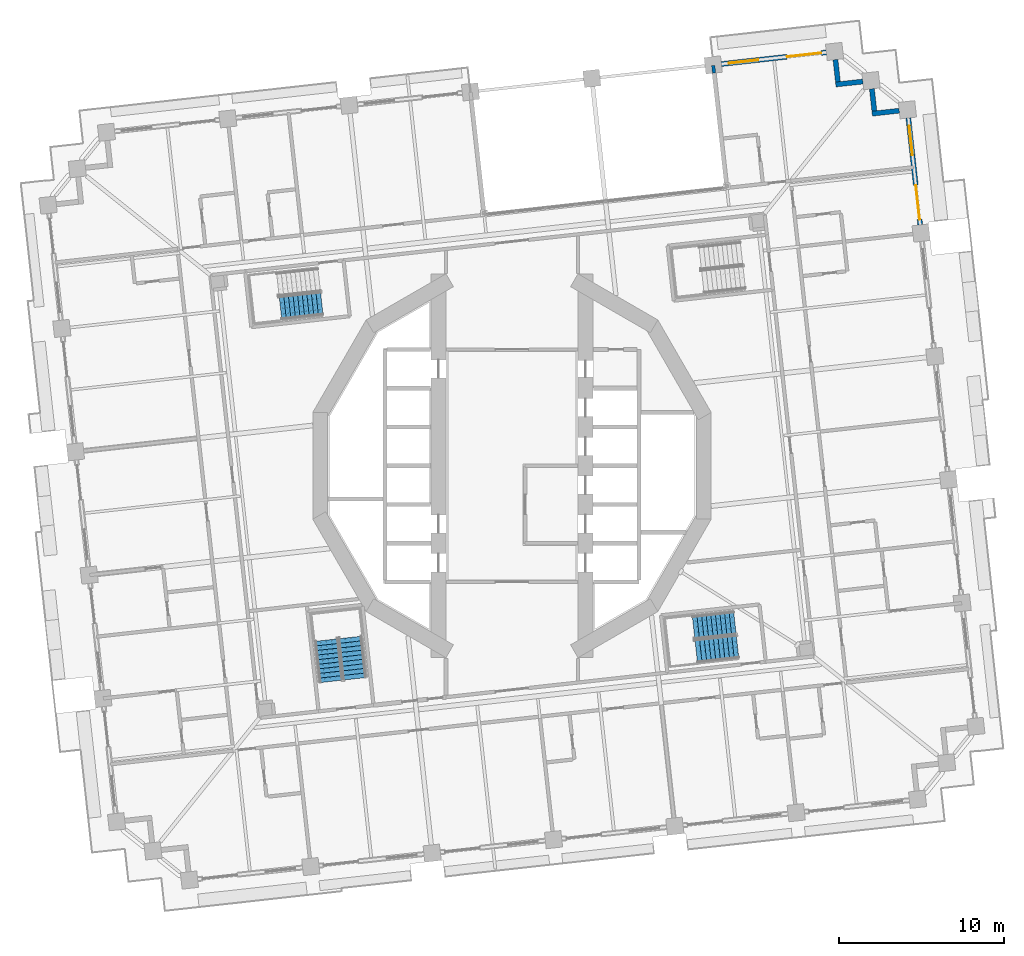
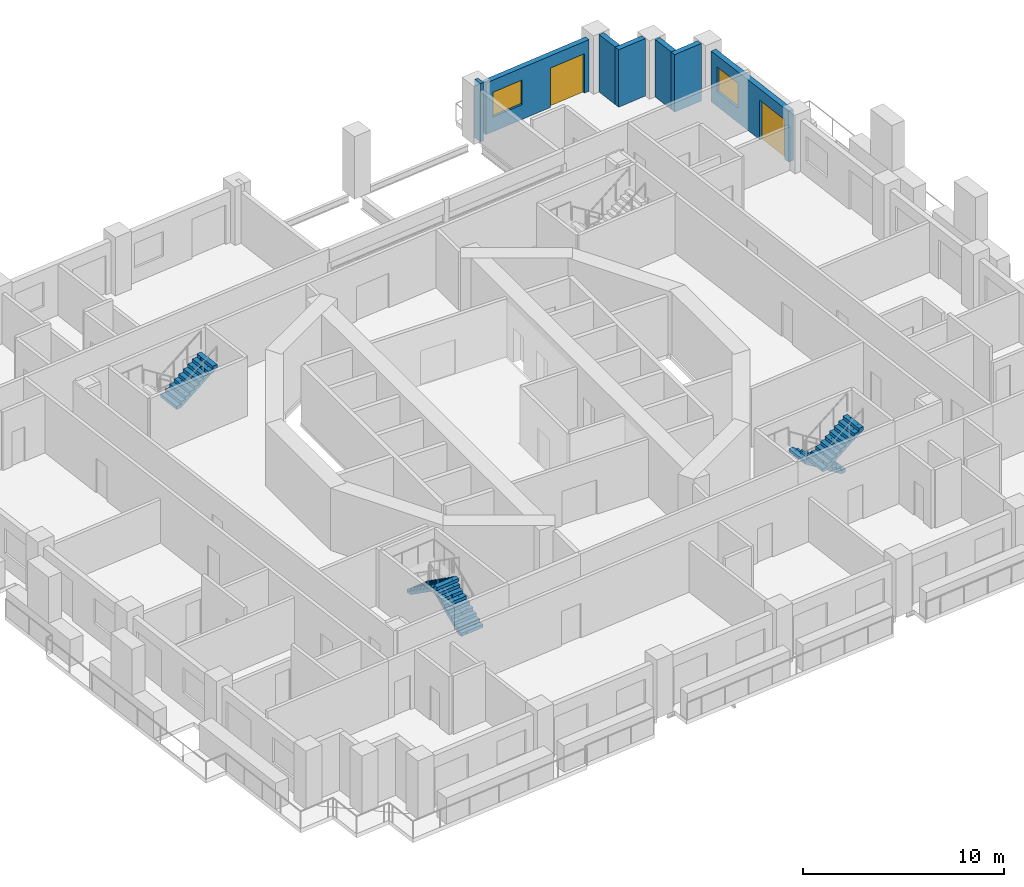
# One storey, part 13 of 20: 7 walls, 5 stair flights, 2 doors, 2 windows, 4 openings, 3 elements without a shape of their own.
"""IFC4 building model written with IfcOpenShell, lengths in metres."""

from ifc_helpers import new_model, si_unit, direction, frame, frame_2d, origin, place, context, subcontext, project, spatial, polyline, rectangle, outline, extrude, material, layer, layer_set, type_object, element, fill, aggregate, save


model = new_model("IFC4")

# Units and contexts
model_context = context("Model", 3, precision=1e-05, world=origin(), true_north=direction((0.0, 1.0)))
body_context = subcontext(model_context, "Body", "Model", "MODEL_VIEW")
ifc_project = project(units=[si_unit("LENGTHUNIT", "METRE"), si_unit("AREAUNIT", "SQUARE_METRE"), si_unit("VOLUMEUNIT", "CUBIC_METRE"), si_unit("PLANEANGLEUNIT", "RADIAN"), si_unit("MASSUNIT", "GRAM", prefix="KILO")], contexts=[model_context])

# Site, building, storey
site_placement = place(None, origin())
site = spatial("IfcSite", under=ifc_project, at=site_placement, CompositionType="ELEMENT")
building_placement = place(site_placement, origin())
building = spatial("IfcBuilding", under=site, at=building_placement, Name="Cantera Rosa Tower", CompositionType="ELEMENT")
storey_placement = place(building_placement, frame((0.0, 0.0, 46.300048828125)))
storey = spatial("IfcBuildingStorey", under=building, at=storey_placement, Name="L08", CompositionType="ELEMENT", Elevation=46.300048828125)

# Walls
ifc_material_1 = material(Name="Hollow clay masonry with cantera stone cladding", Category="masonry")
ifc_layer_1 = layer(ifc_material_1, 0.300048828125)
ifc_layer_set_1 = layer_set([ifc_layer_1], Name="EW-LOGGIA 300")
wall_type_1 = type_object("IfcWallType", Name="EW-LOGGIA 300", PredefinedType="SOLIDWALL", material=ifc_layer_set_1)
wall_1_placement = place(storey_placement, frame((23.46923828125, 21.520263671875, 0.0), z_axis=(0.0, 0.0, 1.0), x_axis=(-0.993905369514, -0.110236638423, 0.0)))
element("IfcWall", 1, at=wall_1_placement, inside=storey, type_object=wall_type_1, Name="EN-L08-W06a", PredefinedType="SOLIDWALL", context=body_context, shape_type="SweptSolid", body=[
    extrude(rectangle(XDim=1.64990234375, YDim=0.300048828125, at=frame_2d((0.824951171875, 0.0))), origin(), (0.0, 0.0, 1.0), 3.5),
])
wall_2_placement = place(storey_placement, frame((21.9619140625, 21.50390625, 0.0), z_axis=(0.0, 0.0, 1.0), x_axis=(-0.110312435488, 0.993896959738, 0.0)))
element("IfcWall", 2, at=wall_2_placement, inside=storey, type_object=wall_type_1, Name="EN-L08-W06b", PredefinedType="SOLIDWALL", context=body_context, shape_type="SweptSolid", body=[
    extrude(rectangle(XDim=1.35009765625, YDim=0.300048828125, at=frame_2d((0.675048828125, 0.0))), origin(), (0.0, 0.0, 1.0), 3.5),
])
wall_3_placement = place(storey_placement, frame((21.2607421875, 23.287353515625, 0.0), z_axis=(0.0, 0.0, 1.0), x_axis=(-0.993905369514, -0.110236638423, 0.0)))
element("IfcWall", 3, at=wall_3_placement, inside=storey, type_object=wall_type_1, Name="EN-L08-W07a", PredefinedType="SOLIDWALL", context=body_context, shape_type="SweptSolid", body=[
    extrude(rectangle(XDim=1.64990234375, YDim=0.300048828125, at=frame_2d((0.824951171875, 0.0))), origin(), (0.0, 0.0, 1.0), 3.5),
])
wall_4_placement = place(storey_placement, frame((19.75341796875, 23.27099609375, 0.0), z_axis=(0.0, 0.0, 1.0), x_axis=(-0.110312435488, 0.993896959738, 0.0)))
element("IfcWall", 4, at=wall_4_placement, inside=storey, type_object=wall_type_1, Name="EN-L08-W07b", PredefinedType="SOLIDWALL", context=body_context, shape_type="SweptSolid", body=[
    extrude(rectangle(XDim=1.35009765625, YDim=0.300048828125, at=frame_2d((0.675048828125, 0.0))), origin(), (0.0, 0.0, 1.0), 3.5),
])

# Wall, openings, window, door
ifc_material_2 = material(Name="Hollow clay masonry with cantera stone cladding", Category="masonry")
ifc_layer_2 = layer(ifc_material_2, 0.300048828125)
ifc_layer_set_2 = layer_set([ifc_layer_2], Name="EW-LOGGIA 300 H3090")
wall_type_2 = type_object("IfcWallType", Name="EW-LOGGIA 300 H3090", PredefinedType="SOLIDWALL", material=ifc_layer_set_2)
wall_5_placement = place(storey_placement, frame((24.74072265625, 14.598388671875, 0.0), z_axis=(0.0, 0.0, 1.0), x_axis=(-0.110312341265, 0.993896970196, 0.0)))
wall_5 = element("IfcWall", 5, at=wall_5_placement, inside=storey, type_object=wall_type_2, Name="EN-L08-W05", PredefinedType="SOLIDWALL", context=body_context, shape_type="SweptSolid", body=[
    extrude(rectangle(XDim=6.52001953125, YDim=0.300048828125, at=frame_2d((3.260009765625, 0.0))), origin(), (0.0, 0.0, 1.0), 3.08984375),
])
opening_1_placement = place(wall_5_placement, frame((0.330078125, 0.0, 0.0)))
opening_1 = element("IfcOpeningElement", 6, at=opening_1_placement, cuts=wall_5, Name="Opening L08-TD09", PredefinedType="OPENING", context=body_context, shape_type="SweptSolid", body=[
    extrude(rectangle(XDim=2.10009765625, YDim=2.39990234375, at=frame_2d((1.050048828125, 1.199951171875))), frame((0.0, 0.159912109375, 0.0), z_axis=(0.0, -1.0, 0.0), x_axis=(1.0, 0.0, 0.0)), (0.0, 0.0, 1.0), 0.320068359375),
])
opening_2_placement = place(wall_5_placement, frame((4.239990234375, 0.0, 0.89990234375)))
opening_2 = element("IfcOpeningElement", 7, at=opening_2_placement, cuts=wall_5, Name="Opening L08-W10", PredefinedType="OPENING", context=body_context, shape_type="SweptSolid", body=[
    extrude(rectangle(XDim=1.800048828125, YDim=1.5, at=frame_2d((0.89990234375, 0.75))), frame((0.0, 0.159912109375, 0.0), z_axis=(0.0, -1.0, 0.0), x_axis=(1.0, 0.0, 0.0)), (0.0, 0.0, 1.0), 0.320068359375),
])
ifc_material_3 = material(Name="Aluminium frame with clear glass", Category="aluminium")
window_type = type_object("IfcWindowType", Name="Hotel room window 1800x1500", PartitioningType="DOUBLE_PANEL_VERTICAL", PredefinedType="WINDOW", material=ifc_material_3)
window_1_placement = place(opening_2_placement, origin())
window_1 = element("IfcWindow", 8, at=window_1_placement, inside=storey, type_object=window_type, Name="WINDOW L08-W10", OverallHeight=1.5, OverallWidth=1.800048828125, PartitioningType="SINGLE_PANEL", PredefinedType="WINDOW", context=body_context, shape_type="SweptSolid", body=[
    extrude(rectangle(XDim=1.800048828125, YDim=1.5, at=frame_2d((0.89990234375, 0.75))), frame((0.0, 0.030029296875, 0.0), z_axis=(0.0, -1.0, 0.0), x_axis=(1.0, 0.0, 0.0)), (0.0, 0.0, 1.0), 0.06005859375),
])
fill(opening_2, window_1)
ifc_material_4 = material(Name="Aluminium frame with clear glass", Category="aluminium")
door_type = type_object("IfcDoorType", Name="TD-H 2100x2400", OperationType="NOTDEFINED", PredefinedType="DOOR", material=ifc_material_4)
door_1_placement = place(opening_1_placement, origin())
door_1 = element("IfcDoor", 9, at=door_1_placement, inside=storey, type_object=door_type, Name="LOGGIA DOOR L08-TD09", OperationType="SLIDING_TO_LEFT", OverallHeight=2.39990234375, OverallWidth=2.10009765625, PredefinedType="DOOR", context=body_context, shape_type="SweptSolid", body=[
    extrude(rectangle(XDim=2.10009765625, YDim=2.39990234375, at=frame_2d((1.050048828125, 1.199951171875))), frame((0.0, 0.02490234375, 0.0), z_axis=(0.0, -1.0, 0.0), x_axis=(1.0, 0.0, 0.0)), (0.0, 0.0, 1.0), 0.050048828125),
])
fill(opening_1, door_1)

ifc_material_5 = material(Name="Hollow clay masonry with cantera stone cladding", Category="masonry")
ifc_layer_3 = layer(ifc_material_5, 0.300048828125)
ifc_layer_set_3 = layer_set([ifc_layer_3], Name="EW-LOGGIA 300 H3140")
wall_type_3 = type_object("IfcWallType", Name="EW-LOGGIA 300 H3140", PredefinedType="SOLIDWALL", material=ifc_layer_set_3)
wall_6_placement = place(storey_placement, frame((19.052490234375, 25.0546875, 0.0), z_axis=(0.0, 0.0, 1.0), x_axis=(-0.993896288542, -0.110318482689, 0.0)))
wall_6 = element("IfcWall", 10, at=wall_6_placement, inside=storey, type_object=wall_type_3, Name="EN-L08-W08", PredefinedType="SOLIDWALL", context=body_context, shape_type="SweptSolid", body=[
    extrude(rectangle(XDim=6.400146484375, YDim=0.300048828125, at=frame_2d((3.2001953125, 0.0))), origin(), (0.0, 0.0, 1.0), 3.139892578125),
])
opening_3_placement = place(wall_6_placement, frame((0.300048828125, 0.0, 0.0)))
opening_3 = element("IfcOpeningElement", 11, at=opening_3_placement, cuts=wall_6, Name="Opening L08-TD11", PredefinedType="OPENING", context=body_context, shape_type="SweptSolid", body=[
    extrude(rectangle(XDim=2.10009765625, YDim=2.39990234375, at=frame_2d((1.050048828125, 1.199951171875))), frame((0.0, 0.159912109375, 0.0), z_axis=(0.0, -1.0, 0.0), x_axis=(1.0, 0.0, 0.0)), (0.0, 0.0, 1.0), 0.320068359375),
])
opening_4_placement = place(wall_6_placement, frame((4.14990234375, 0.0, 0.89990234375)))
opening_4 = element("IfcOpeningElement", 12, at=opening_4_placement, cuts=wall_6, Name="Opening L08-W12", PredefinedType="OPENING", context=body_context, shape_type="SweptSolid", body=[
    extrude(rectangle(XDim=1.800048828125, YDim=1.5, at=frame_2d((0.89990234375, 0.75))), frame((0.0, 0.159912109375, 0.0), z_axis=(0.0, -1.0, 0.0), x_axis=(1.0, 0.0, 0.0)), (0.0, 0.0, 1.0), 0.320068359375),
])
window_2_placement = place(opening_4_placement, origin())
window_2 = element("IfcWindow", 13, at=window_2_placement, inside=storey, type_object=window_type, Name="WINDOW L08-W12", OverallHeight=1.5, OverallWidth=1.800048828125, PartitioningType="SINGLE_PANEL", PredefinedType="WINDOW", context=body_context, shape_type="SweptSolid", body=[
    extrude(rectangle(XDim=1.800048828125, YDim=1.5, at=frame_2d((0.89990234375, 0.75))), frame((0.0, 0.030029296875, 0.0), z_axis=(0.0, -1.0, 0.0), x_axis=(1.0, 0.0, 0.0)), (0.0, 0.0, 1.0), 0.06005859375),
])
fill(opening_4, window_2)
door_2_placement = place(opening_3_placement, origin())
door_2 = element("IfcDoor", 14, at=door_2_placement, inside=storey, type_object=door_type, Name="LOGGIA DOOR L08-TD11", OperationType="SLIDING_TO_LEFT", OverallHeight=2.39990234375, OverallWidth=2.10009765625, PredefinedType="DOOR", context=body_context, shape_type="SweptSolid", body=[
    extrude(rectangle(XDim=2.10009765625, YDim=2.39990234375, at=frame_2d((1.050048828125, 1.199951171875))), frame((0.0, 0.02490234375, 0.0), z_axis=(0.0, -1.0, 0.0), x_axis=(1.0, 0.0, 0.0)), (0.0, 0.0, 1.0), 0.050048828125),
])
fill(opening_3, door_2)

# Wall
ifc_material_6 = material(Name="Gypsum board partition")
ifc_layer_4 = layer(ifc_material_6, 0.199951171875)
ifc_layer_set_4 = layer_set([ifc_layer_4], Name="PARTITION 200 H3550")
wall_type_4 = type_object("IfcWallType", Name="PARTITION 200 H3550", PredefinedType="PARTITIONING", material=ifc_layer_set_4)
wall_7_placement = place(storey_placement, frame((12.249755859375, 23.79638671875, 0.0), z_axis=(0.0, 0.0, 1.0), x_axis=(-0.110089547864, 0.993921672694, 0.0)))
element("IfcWall", 15, at=wall_7_placement, inside=storey, type_object=wall_type_4, Name="PARTITION L08-081", PredefinedType="PARTITIONING", context=body_context, shape_type="SweptSolid", body=[
    extrude(rectangle(XDim=0.47021484375, YDim=0.199951171875, at=frame_2d((0.235107421875, 0.0))), origin(), (0.0, 0.0, 1.0), 3.550048828125),
])

# Stair, stair flight
ifc_material_7 = material(Name="Concrete C35/45", Category="concrete")
stair_type = type_object("IfcStairType", Name="EXIT STAIR 1350 DOGLEG", PredefinedType="HALF_TURN_STAIR", material=ifc_material_7)
stair_1_placement = place(storey_placement, origin())
stair_1 = element("IfcStair", 16, at=stair_1_placement, inside=storey, type_object=stair_type, Name="L08 ST-12", PredefinedType="HALF_TURN_STAIR")
ifc_material_8 = material(Name="Concrete C35/45", Category="concrete")
stair_flight_type = type_object("IfcStairFlightType", Name="STAIR FLIGHT 1350 R20x190", PredefinedType="STRAIGHT", material=ifc_material_8)
stair_flight_1_placement = place(storey_placement, frame((-14.030517578125, 9.531005859375, 1.89990234375), z_axis=(0.0, 0.0, 1.0), x_axis=(0.993896947056, 0.110312549749, 0.0)))
stair_flight_1 = element("IfcStairFlight", 17, at=stair_flight_1_placement, type_object=stair_flight_type, Name="ST-12 flight 2", NumberOfRisers=10, NumberOfTreads=9, PredefinedType="STRAIGHT", RiserHeight=0.19, TreadLength=0.28, context=body_context, shape_type="SweptSolid", body=[
    extrude(outline(polyline([(0.0, 0.0), (0.0, 0.18994140625), (0.280029296875, 0.18994140625), (0.280029296875, 0.3798828125), (0.56005859375, 0.3798828125), (0.56005859375, 0.570068359375), (0.840087890625, 0.570068359375), (0.840087890625, 0.760009765625), (1.1201171875, 0.760009765625), (1.1201171875, 0.949951171875), (1.39990234375, 0.949951171875), (1.39990234375, 1.139892578125), (1.679931640625, 1.139892578125), (1.679931640625, 1.330078125), (1.9599609375, 1.330078125), (1.9599609375, 1.52001953125), (2.239990234375, 1.52001953125), (2.239990234375, 1.7099609375), (2.52001953125, 1.7099609375), (2.52001953125, 1.89990234375), (2.52001953125, 1.52880859375), (0.266845703125, 0.0), (0.0, 0.0)])), frame((0.0, 0.675048828125, 0.0), z_axis=(0.0, -1.0, 0.0), x_axis=(1.0, 0.0, 0.0)), (0.0, 0.0, 1.0), 0.3359375),
    extrude(outline(polyline([(0.0, 0.0), (0.0, 0.18994140625), (0.280029296875, 0.18994140625), (0.280029296875, 0.3798828125), (0.56005859375, 0.3798828125), (0.56005859375, 0.570068359375), (0.840087890625, 0.570068359375), (0.840087890625, 0.760009765625), (1.1201171875, 0.760009765625), (1.1201171875, 0.949951171875), (1.39990234375, 0.949951171875), (1.39990234375, 1.139892578125), (1.679931640625, 1.139892578125), (1.679931640625, 1.330078125), (1.9599609375, 1.330078125), (1.9599609375, 1.52001953125), (2.239990234375, 1.52001953125), (2.239990234375, 1.7099609375), (2.52001953125, 1.7099609375), (2.52001953125, 1.89990234375), (2.52001953125, 1.52880859375), (0.266845703125, 0.0), (0.0, 0.0)])), frame((0.0, 0.337158203125, 0.0), z_axis=(0.0, -1.0, 0.0), x_axis=(1.0, 0.0, 0.0)), (0.0, 0.0, 1.0), 0.3359375),
    extrude(outline(polyline([(0.0, 0.0), (0.0, 0.18994140625), (0.280029296875, 0.18994140625), (0.280029296875, 0.3798828125), (0.56005859375, 0.3798828125), (0.56005859375, 0.570068359375), (0.840087890625, 0.570068359375), (0.840087890625, 0.760009765625), (1.1201171875, 0.760009765625), (1.1201171875, 0.949951171875), (1.39990234375, 0.949951171875), (1.39990234375, 1.139892578125), (1.679931640625, 1.139892578125), (1.679931640625, 1.330078125), (1.9599609375, 1.330078125), (1.9599609375, 1.52001953125), (2.239990234375, 1.52001953125), (2.239990234375, 1.7099609375), (2.52001953125, 1.7099609375), (2.52001953125, 1.89990234375), (2.52001953125, 1.52880859375), (0.266845703125, 0.0), (0.0, 0.0)])), frame((0.0, -0.000732421875, 0.0), z_axis=(0.0, -1.0, 0.0), x_axis=(1.0, 0.0, 0.0)), (0.0, 0.0, 1.0), 0.3359375),
    extrude(outline(polyline([(0.0, 0.0), (0.0, 0.18994140625), (0.280029296875, 0.18994140625), (0.280029296875, 0.3798828125), (0.56005859375, 0.3798828125), (0.56005859375, 0.570068359375), (0.840087890625, 0.570068359375), (0.840087890625, 0.760009765625), (1.1201171875, 0.760009765625), (1.1201171875, 0.949951171875), (1.39990234375, 0.949951171875), (1.39990234375, 1.139892578125), (1.679931640625, 1.139892578125), (1.679931640625, 1.330078125), (1.9599609375, 1.330078125), (1.9599609375, 1.52001953125), (2.239990234375, 1.52001953125), (2.239990234375, 1.7099609375), (2.52001953125, 1.7099609375), (2.52001953125, 1.89990234375), (2.52001953125, 1.52880859375), (0.266845703125, 0.0), (0.0, 0.0)])), frame((0.0, -0.338623046875, 0.0), z_axis=(0.0, -1.0, 0.0), x_axis=(1.0, 0.0, 0.0)), (0.0, 0.0, 1.0), 0.3359375),
])
aggregate(stair_1, [stair_flight_1])

# Stair, stair flights
stair_2_placement = place(storey_placement, origin())
stair_2 = element("IfcStair", 18, at=stair_2_placement, inside=storey, type_object=stair_type, Name="L08 ST-13", PredefinedType="HALF_TURN_STAIR")
stair_flight_2_placement = place(storey_placement, frame((-9.500244140625, -12.90869140625, 0.0), z_axis=(0.0, 0.0, 1.0), x_axis=(-0.110312549749, 0.993896947056, 0.0)))
stair_flight_2 = element("IfcStairFlight", 19, at=stair_flight_2_placement, type_object=stair_flight_type, Name="ST-13 flight 1", NumberOfRisers=10, NumberOfTreads=9, PredefinedType="STRAIGHT", RiserHeight=0.19, TreadLength=0.28, context=body_context, shape_type="SweptSolid", body=[
    extrude(outline(polyline([(0.0, 0.0), (0.0, 0.18994140625), (0.280029296875, 0.18994140625), (0.280029296875, 0.3798828125), (0.56005859375, 0.3798828125), (0.56005859375, 0.570068359375), (0.840087890625, 0.570068359375), (0.840087890625, 0.760009765625), (1.1201171875, 0.760009765625), (1.1201171875, 0.949951171875), (1.39990234375, 0.949951171875), (1.39990234375, 1.139892578125), (1.679931640625, 1.139892578125), (1.679931640625, 1.330078125), (1.9599609375, 1.330078125), (1.9599609375, 1.52001953125), (2.239990234375, 1.52001953125), (2.239990234375, 1.7099609375), (2.52001953125, 1.7099609375), (2.52001953125, 1.89990234375), (2.52001953125, 1.52880859375), (0.266845703125, 0.0), (0.0, 0.0)])), frame((0.0, 0.675048828125, 0.0), z_axis=(0.0, -1.0, 0.0), x_axis=(1.0, 0.0, 0.0)), (0.0, 0.0, 1.0), 0.3359375),
    extrude(outline(polyline([(0.0, 0.0), (0.0, 0.18994140625), (0.280029296875, 0.18994140625), (0.280029296875, 0.3798828125), (0.56005859375, 0.3798828125), (0.56005859375, 0.570068359375), (0.840087890625, 0.570068359375), (0.840087890625, 0.760009765625), (1.1201171875, 0.760009765625), (1.1201171875, 0.949951171875), (1.39990234375, 0.949951171875), (1.39990234375, 1.139892578125), (1.679931640625, 1.139892578125), (1.679931640625, 1.330078125), (1.9599609375, 1.330078125), (1.9599609375, 1.52001953125), (2.239990234375, 1.52001953125), (2.239990234375, 1.7099609375), (2.52001953125, 1.7099609375), (2.52001953125, 1.89990234375), (2.52001953125, 1.52880859375), (0.266845703125, 0.0), (0.0, 0.0)])), frame((0.0, 0.337158203125, 0.0), z_axis=(0.0, -1.0, 0.0), x_axis=(1.0, 0.0, 0.0)), (0.0, 0.0, 1.0), 0.3359375),
    extrude(outline(polyline([(0.0, 0.0), (0.0, 0.18994140625), (0.280029296875, 0.18994140625), (0.280029296875, 0.3798828125), (0.56005859375, 0.3798828125), (0.56005859375, 0.570068359375), (0.840087890625, 0.570068359375), (0.840087890625, 0.760009765625), (1.1201171875, 0.760009765625), (1.1201171875, 0.949951171875), (1.39990234375, 0.949951171875), (1.39990234375, 1.139892578125), (1.679931640625, 1.139892578125), (1.679931640625, 1.330078125), (1.9599609375, 1.330078125), (1.9599609375, 1.52001953125), (2.239990234375, 1.52001953125), (2.239990234375, 1.7099609375), (2.52001953125, 1.7099609375), (2.52001953125, 1.89990234375), (2.52001953125, 1.52880859375), (0.266845703125, 0.0), (0.0, 0.0)])), frame((0.0, -0.000732421875, 0.0), z_axis=(0.0, -1.0, 0.0), x_axis=(1.0, 0.0, 0.0)), (0.0, 0.0, 1.0), 0.3359375),
    extrude(outline(polyline([(0.0, 0.0), (0.0, 0.18994140625), (0.280029296875, 0.18994140625), (0.280029296875, 0.3798828125), (0.56005859375, 0.3798828125), (0.56005859375, 0.570068359375), (0.840087890625, 0.570068359375), (0.840087890625, 0.760009765625), (1.1201171875, 0.760009765625), (1.1201171875, 0.949951171875), (1.39990234375, 0.949951171875), (1.39990234375, 1.139892578125), (1.679931640625, 1.139892578125), (1.679931640625, 1.330078125), (1.9599609375, 1.330078125), (1.9599609375, 1.52001953125), (2.239990234375, 1.52001953125), (2.239990234375, 1.7099609375), (2.52001953125, 1.7099609375), (2.52001953125, 1.89990234375), (2.52001953125, 1.52880859375), (0.266845703125, 0.0), (0.0, 0.0)])), frame((0.0, -0.338623046875, 0.0), z_axis=(0.0, -1.0, 0.0), x_axis=(1.0, 0.0, 0.0)), (0.0, 0.0, 1.0), 0.3359375),
])
stair_flight_3_placement = place(storey_placement, frame((-11.26904296875, -10.569580078125, 1.89990234375), z_axis=(0.0, 0.0, 1.0), x_axis=(0.110312549749, -0.993896947056, 0.0)))
stair_flight_3 = element("IfcStairFlight", 20, at=stair_flight_3_placement, type_object=stair_flight_type, Name="ST-13 flight 2", NumberOfRisers=10, NumberOfTreads=9, PredefinedType="STRAIGHT", RiserHeight=0.19, TreadLength=0.28, context=body_context, shape_type="SweptSolid", body=[
    extrude(outline(polyline([(0.0, 0.0), (0.0, 0.18994140625), (0.280029296875, 0.18994140625), (0.280029296875, 0.3798828125), (0.56005859375, 0.3798828125), (0.56005859375, 0.570068359375), (0.840087890625, 0.570068359375), (0.840087890625, 0.760009765625), (1.1201171875, 0.760009765625), (1.1201171875, 0.949951171875), (1.39990234375, 0.949951171875), (1.39990234375, 1.139892578125), (1.679931640625, 1.139892578125), (1.679931640625, 1.330078125), (1.9599609375, 1.330078125), (1.9599609375, 1.52001953125), (2.239990234375, 1.52001953125), (2.239990234375, 1.7099609375), (2.52001953125, 1.7099609375), (2.52001953125, 1.89990234375), (2.52001953125, 1.52880859375), (0.266845703125, 0.0), (0.0, 0.0)])), frame((0.0, 0.675048828125, 0.0), z_axis=(0.0, -1.0, 0.0), x_axis=(1.0, 0.0, 0.0)), (0.0, 0.0, 1.0), 0.3359375),
    extrude(outline(polyline([(0.0, 0.0), (0.0, 0.18994140625), (0.280029296875, 0.18994140625), (0.280029296875, 0.3798828125), (0.56005859375, 0.3798828125), (0.56005859375, 0.570068359375), (0.840087890625, 0.570068359375), (0.840087890625, 0.760009765625), (1.1201171875, 0.760009765625), (1.1201171875, 0.949951171875), (1.39990234375, 0.949951171875), (1.39990234375, 1.139892578125), (1.679931640625, 1.139892578125), (1.679931640625, 1.330078125), (1.9599609375, 1.330078125), (1.9599609375, 1.52001953125), (2.239990234375, 1.52001953125), (2.239990234375, 1.7099609375), (2.52001953125, 1.7099609375), (2.52001953125, 1.89990234375), (2.52001953125, 1.52880859375), (0.266845703125, 0.0), (0.0, 0.0)])), frame((0.0, 0.337158203125, 0.0), z_axis=(0.0, -1.0, 0.0), x_axis=(1.0, 0.0, 0.0)), (0.0, 0.0, 1.0), 0.3359375),
    extrude(outline(polyline([(0.0, 0.0), (0.0, 0.18994140625), (0.280029296875, 0.18994140625), (0.280029296875, 0.3798828125), (0.56005859375, 0.3798828125), (0.56005859375, 0.570068359375), (0.840087890625, 0.570068359375), (0.840087890625, 0.760009765625), (1.1201171875, 0.760009765625), (1.1201171875, 0.949951171875), (1.39990234375, 0.949951171875), (1.39990234375, 1.139892578125), (1.679931640625, 1.139892578125), (1.679931640625, 1.330078125), (1.9599609375, 1.330078125), (1.9599609375, 1.52001953125), (2.239990234375, 1.52001953125), (2.239990234375, 1.7099609375), (2.52001953125, 1.7099609375), (2.52001953125, 1.89990234375), (2.52001953125, 1.52880859375), (0.266845703125, 0.0), (0.0, 0.0)])), frame((0.0, -0.000732421875, 0.0), z_axis=(0.0, -1.0, 0.0), x_axis=(1.0, 0.0, 0.0)), (0.0, 0.0, 1.0), 0.3359375),
    extrude(outline(polyline([(0.0, 0.0), (0.0, 0.18994140625), (0.280029296875, 0.18994140625), (0.280029296875, 0.3798828125), (0.56005859375, 0.3798828125), (0.56005859375, 0.570068359375), (0.840087890625, 0.570068359375), (0.840087890625, 0.760009765625), (1.1201171875, 0.760009765625), (1.1201171875, 0.949951171875), (1.39990234375, 0.949951171875), (1.39990234375, 1.139892578125), (1.679931640625, 1.139892578125), (1.679931640625, 1.330078125), (1.9599609375, 1.330078125), (1.9599609375, 1.52001953125), (2.239990234375, 1.52001953125), (2.239990234375, 1.7099609375), (2.52001953125, 1.7099609375), (2.52001953125, 1.89990234375), (2.52001953125, 1.52880859375), (0.266845703125, 0.0), (0.0, 0.0)])), frame((0.0, -0.338623046875, 0.0), z_axis=(0.0, -1.0, 0.0), x_axis=(1.0, 0.0, 0.0)), (0.0, 0.0, 1.0), 0.3359375),
])
aggregate(stair_2, [stair_flight_2, stair_flight_3])

stair_3_placement = place(storey_placement, origin())
stair_3 = element("IfcStair", 21, at=stair_3_placement, inside=storey, type_object=stair_type, Name="L08 ST-14", PredefinedType="HALF_TURN_STAIR")
stair_flight_4_placement = place(storey_placement, frame((13.5087890625, -9.500244140625, 0.0), z_axis=(0.0, 0.0, 1.0), x_axis=(-0.993896947056, -0.110312549749, 0.0)))
stair_flight_4 = element("IfcStairFlight", 22, at=stair_flight_4_placement, type_object=stair_flight_type, Name="ST-14 flight 1", NumberOfRisers=10, NumberOfTreads=9, PredefinedType="STRAIGHT", RiserHeight=0.19, TreadLength=0.28, context=body_context, shape_type="SweptSolid", body=[
    extrude(outline(polyline([(0.0, 0.0), (0.0, 0.18994140625), (0.280029296875, 0.18994140625), (0.280029296875, 0.3798828125), (0.56005859375, 0.3798828125), (0.56005859375, 0.570068359375), (0.840087890625, 0.570068359375), (0.840087890625, 0.760009765625), (1.1201171875, 0.760009765625), (1.1201171875, 0.949951171875), (1.39990234375, 0.949951171875), (1.39990234375, 1.139892578125), (1.679931640625, 1.139892578125), (1.679931640625, 1.330078125), (1.9599609375, 1.330078125), (1.9599609375, 1.52001953125), (2.239990234375, 1.52001953125), (2.239990234375, 1.7099609375), (2.52001953125, 1.7099609375), (2.52001953125, 1.89990234375), (2.52001953125, 1.52880859375), (0.266845703125, 0.0), (0.0, 0.0)])), frame((0.0, 0.675048828125, 0.0), z_axis=(0.0, -1.0, 0.0), x_axis=(1.0, 0.0, 0.0)), (0.0, 0.0, 1.0), 0.3359375),
    extrude(outline(polyline([(0.0, 0.0), (0.0, 0.18994140625), (0.280029296875, 0.18994140625), (0.280029296875, 0.3798828125), (0.56005859375, 0.3798828125), (0.56005859375, 0.570068359375), (0.840087890625, 0.570068359375), (0.840087890625, 0.760009765625), (1.1201171875, 0.760009765625), (1.1201171875, 0.949951171875), (1.39990234375, 0.949951171875), (1.39990234375, 1.139892578125), (1.679931640625, 1.139892578125), (1.679931640625, 1.330078125), (1.9599609375, 1.330078125), (1.9599609375, 1.52001953125), (2.239990234375, 1.52001953125), (2.239990234375, 1.7099609375), (2.52001953125, 1.7099609375), (2.52001953125, 1.89990234375), (2.52001953125, 1.52880859375), (0.266845703125, 0.0), (0.0, 0.0)])), frame((0.0, 0.337158203125, 0.0), z_axis=(0.0, -1.0, 0.0), x_axis=(1.0, 0.0, 0.0)), (0.0, 0.0, 1.0), 0.3359375),
    extrude(outline(polyline([(0.0, 0.0), (0.0, 0.18994140625), (0.280029296875, 0.18994140625), (0.280029296875, 0.3798828125), (0.56005859375, 0.3798828125), (0.56005859375, 0.570068359375), (0.840087890625, 0.570068359375), (0.840087890625, 0.760009765625), (1.1201171875, 0.760009765625), (1.1201171875, 0.949951171875), (1.39990234375, 0.949951171875), (1.39990234375, 1.139892578125), (1.679931640625, 1.139892578125), (1.679931640625, 1.330078125), (1.9599609375, 1.330078125), (1.9599609375, 1.52001953125), (2.239990234375, 1.52001953125), (2.239990234375, 1.7099609375), (2.52001953125, 1.7099609375), (2.52001953125, 1.89990234375), (2.52001953125, 1.52880859375), (0.266845703125, 0.0), (0.0, 0.0)])), frame((0.0, -0.000732421875, 0.0), z_axis=(0.0, -1.0, 0.0), x_axis=(1.0, 0.0, 0.0)), (0.0, 0.0, 1.0), 0.3359375),
    extrude(outline(polyline([(0.0, 0.0), (0.0, 0.18994140625), (0.280029296875, 0.18994140625), (0.280029296875, 0.3798828125), (0.56005859375, 0.3798828125), (0.56005859375, 0.570068359375), (0.840087890625, 0.570068359375), (0.840087890625, 0.760009765625), (1.1201171875, 0.760009765625), (1.1201171875, 0.949951171875), (1.39990234375, 0.949951171875), (1.39990234375, 1.139892578125), (1.679931640625, 1.139892578125), (1.679931640625, 1.330078125), (1.9599609375, 1.330078125), (1.9599609375, 1.52001953125), (2.239990234375, 1.52001953125), (2.239990234375, 1.7099609375), (2.52001953125, 1.7099609375), (2.52001953125, 1.89990234375), (2.52001953125, 1.52880859375), (0.266845703125, 0.0), (0.0, 0.0)])), frame((0.0, -0.338623046875, 0.0), z_axis=(0.0, -1.0, 0.0), x_axis=(1.0, 0.0, 0.0)), (0.0, 0.0, 1.0), 0.3359375),
])
stair_flight_5_placement = place(storey_placement, frame((11.169677734375, -11.26904296875, 1.89990234375), z_axis=(0.0, 0.0, 1.0), x_axis=(0.993896947056, 0.110312549749, 0.0)))
stair_flight_5 = element("IfcStairFlight", 23, at=stair_flight_5_placement, type_object=stair_flight_type, Name="ST-14 flight 2", NumberOfRisers=10, NumberOfTreads=9, PredefinedType="STRAIGHT", RiserHeight=0.19, TreadLength=0.28, context=body_context, shape_type="SweptSolid", body=[
    extrude(outline(polyline([(0.0, 0.0), (0.0, 0.18994140625), (0.280029296875, 0.18994140625), (0.280029296875, 0.3798828125), (0.56005859375, 0.3798828125), (0.56005859375, 0.570068359375), (0.840087890625, 0.570068359375), (0.840087890625, 0.760009765625), (1.1201171875, 0.760009765625), (1.1201171875, 0.949951171875), (1.39990234375, 0.949951171875), (1.39990234375, 1.139892578125), (1.679931640625, 1.139892578125), (1.679931640625, 1.330078125), (1.9599609375, 1.330078125), (1.9599609375, 1.52001953125), (2.239990234375, 1.52001953125), (2.239990234375, 1.7099609375), (2.52001953125, 1.7099609375), (2.52001953125, 1.89990234375), (2.52001953125, 1.52880859375), (0.266845703125, 0.0), (0.0, 0.0)])), frame((0.0, 0.675048828125, 0.0), z_axis=(0.0, -1.0, 0.0), x_axis=(1.0, 0.0, 0.0)), (0.0, 0.0, 1.0), 0.3359375),
    extrude(outline(polyline([(0.0, 0.0), (0.0, 0.18994140625), (0.280029296875, 0.18994140625), (0.280029296875, 0.3798828125), (0.56005859375, 0.3798828125), (0.56005859375, 0.570068359375), (0.840087890625, 0.570068359375), (0.840087890625, 0.760009765625), (1.1201171875, 0.760009765625), (1.1201171875, 0.949951171875), (1.39990234375, 0.949951171875), (1.39990234375, 1.139892578125), (1.679931640625, 1.139892578125), (1.679931640625, 1.330078125), (1.9599609375, 1.330078125), (1.9599609375, 1.52001953125), (2.239990234375, 1.52001953125), (2.239990234375, 1.7099609375), (2.52001953125, 1.7099609375), (2.52001953125, 1.89990234375), (2.52001953125, 1.52880859375), (0.266845703125, 0.0), (0.0, 0.0)])), frame((0.0, 0.337158203125, 0.0), z_axis=(0.0, -1.0, 0.0), x_axis=(1.0, 0.0, 0.0)), (0.0, 0.0, 1.0), 0.3359375),
    extrude(outline(polyline([(0.0, 0.0), (0.0, 0.18994140625), (0.280029296875, 0.18994140625), (0.280029296875, 0.3798828125), (0.56005859375, 0.3798828125), (0.56005859375, 0.570068359375), (0.840087890625, 0.570068359375), (0.840087890625, 0.760009765625), (1.1201171875, 0.760009765625), (1.1201171875, 0.949951171875), (1.39990234375, 0.949951171875), (1.39990234375, 1.139892578125), (1.679931640625, 1.139892578125), (1.679931640625, 1.330078125), (1.9599609375, 1.330078125), (1.9599609375, 1.52001953125), (2.239990234375, 1.52001953125), (2.239990234375, 1.7099609375), (2.52001953125, 1.7099609375), (2.52001953125, 1.89990234375), (2.52001953125, 1.52880859375), (0.266845703125, 0.0), (0.0, 0.0)])), frame((0.0, -0.000732421875, 0.0), z_axis=(0.0, -1.0, 0.0), x_axis=(1.0, 0.0, 0.0)), (0.0, 0.0, 1.0), 0.3359375),
    extrude(outline(polyline([(0.0, 0.0), (0.0, 0.18994140625), (0.280029296875, 0.18994140625), (0.280029296875, 0.3798828125), (0.56005859375, 0.3798828125), (0.56005859375, 0.570068359375), (0.840087890625, 0.570068359375), (0.840087890625, 0.760009765625), (1.1201171875, 0.760009765625), (1.1201171875, 0.949951171875), (1.39990234375, 0.949951171875), (1.39990234375, 1.139892578125), (1.679931640625, 1.139892578125), (1.679931640625, 1.330078125), (1.9599609375, 1.330078125), (1.9599609375, 1.52001953125), (2.239990234375, 1.52001953125), (2.239990234375, 1.7099609375), (2.52001953125, 1.7099609375), (2.52001953125, 1.89990234375), (2.52001953125, 1.52880859375), (0.266845703125, 0.0), (0.0, 0.0)])), frame((0.0, -0.338623046875, 0.0), z_axis=(0.0, -1.0, 0.0), x_axis=(1.0, 0.0, 0.0)), (0.0, 0.0, 1.0), 0.3359375),
])
aggregate(stair_3, [stair_flight_4, stair_flight_5])

save(model, "model.ifc")
